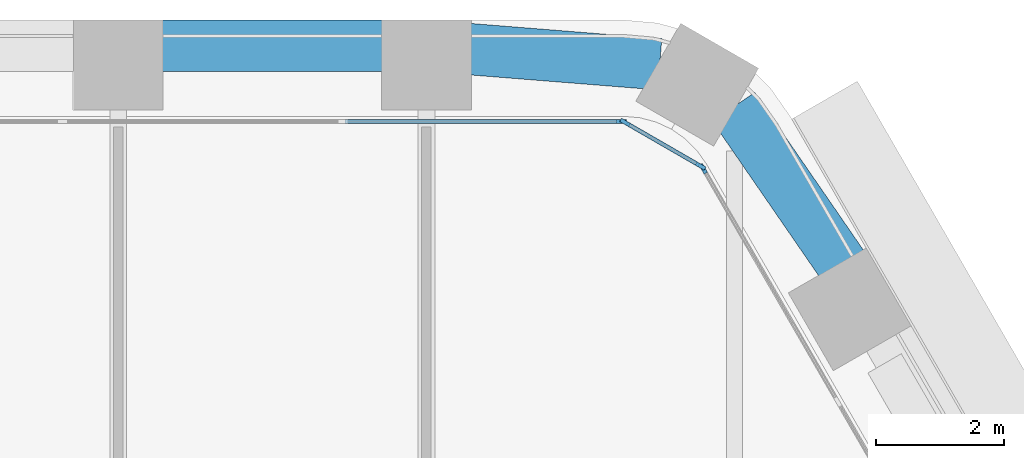
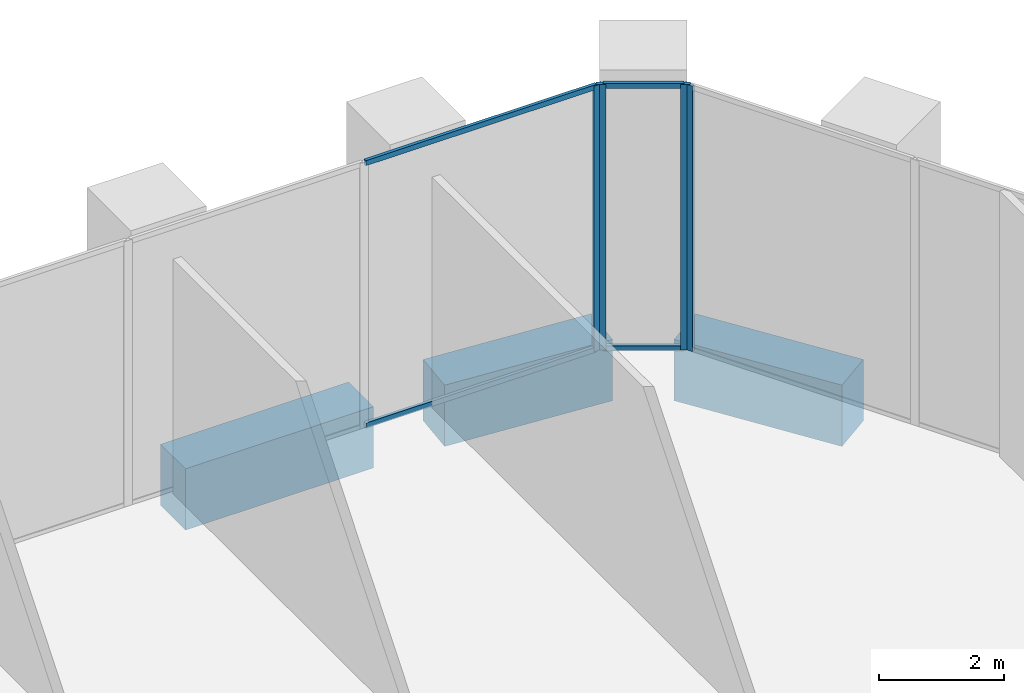
# One storey, part 14 of 27: 8 members, 3 beams, 3 elements without a shape of their own.
"""IFC4 building model written with IfcOpenShell, lengths in metres."""

from ifc_helpers import new_model, si_unit, direction, frame, origin, origin_2d, place, context, subcontext, project, spatial, rectangle, extrude, material, material_profile, profile_set, type_object, element, aggregate, save


model = new_model("IFC4")

# Units and contexts
model_context = context("Model", 3, precision=1e-05, world=origin(), true_north=direction((0.0, 1.0)))
body_context = subcontext(model_context, "Body", "Model", "MODEL_VIEW")
ifc_project = project(units=[si_unit("LENGTHUNIT", "METRE"), si_unit("AREAUNIT", "SQUARE_METRE"), si_unit("VOLUMEUNIT", "CUBIC_METRE"), si_unit("PLANEANGLEUNIT", "RADIAN"), si_unit("MASSUNIT", "GRAM", prefix="KILO")], contexts=[model_context])

# Site, building, storey
site_placement = place(None, origin())
site = spatial("IfcSite", under=ifc_project, at=site_placement, CompositionType="ELEMENT")
building_placement = place(site_placement, origin())
building = spatial("IfcBuilding", under=site, at=building_placement, Name="Kolab Exchange Tower", CompositionType="ELEMENT")
storey_placement = place(building_placement, frame((0.0, 0.0, 66.39990234375)))
storey = spatial("IfcBuildingStorey", under=building, at=storey_placement, Name="L12", CompositionType="ELEMENT", Elevation=66.39990234375)

# Beams
ifc_material_1 = material(Name="Concrete C80/95", Category="concrete")
ifc_material_profile_1 = material_profile(ifc_material_1, rectangle(XDim=0.800048828125, YDim=1.199951171875, at=origin_2d()), Name="RC800X1200")
ifc_profile_set_1 = profile_set([ifc_material_profile_1], Name="Concrete C80/95")
beam_type = type_object("IfcBeamType", Name="SPANDREL BEAM 800X1200 C80/95", PredefinedType="BEAM", material=ifc_profile_set_1)
beam_1_placement = place(storey_placement, frame((10.260009765625, 32.85546875, -0.89990234375), z_axis=(1.0, 0.0, 0.0), x_axis=(0.0, 1.0, 0.0)))
element("IfcBeam", 1, at=beam_1_placement, inside=storey, type_object=beam_type, Name="beam/L12/sp/F1-07", PredefinedType="BEAM", context=body_context, shape_type="SweptSolid", body=[
    extrude(rectangle(XDim=0.800048828125, YDim=1.199951171875, at=origin_2d()), origin(), (0.0, 0.0, 1.0), 3.47998046875),
])
beam_2_placement = place(storey_placement, frame((15.06005859375, 32.802734375, -0.89990234375), z_axis=(0.996833978278, -0.07951112973, 0.0), x_axis=(0.07951112973, 0.996833978278, 0.0)))
element("IfcBeam", 2, at=beam_2_placement, inside=storey, type_object=beam_type, Name="beam/L12/sp/F1-08", PredefinedType="BEAM", context=body_context, shape_type="SweptSolid", body=[
    extrude(rectangle(XDim=0.800048828125, YDim=1.199951171875, at=origin_2d()), origin(), (0.0, 0.0, 1.0), 2.984619140625),
])
beam_3_placement = place(storey_placement, frame((19.18505859375, 31.901611328125, -0.89990234375), z_axis=(0.567247290755, -0.823547516013, 0.0), x_axis=(0.823547516013, 0.567247290755, 0.0)))
element("IfcBeam", 3, at=beam_3_placement, inside=storey, type_object=beam_type, Name="beam/L12/sp/F2-01", PredefinedType="BEAM", context=body_context, shape_type="SweptSolid", body=[
    extrude(rectangle(XDim=0.800048828125, YDim=1.199951171875, at=origin_2d()), origin(), (0.0, 0.0, 1.0), 2.984375),
])

# Curtain wall, member
ifc_material_2 = material(Name="Aluminium EN AW-6063 T6", Category="aluminium")
curtain_wall_type = type_object("IfcCurtainWallType", Name="UNITISED LOW ZONE CURTAIN WALL", PredefinedType="NOTDEFINED", material=ifc_material_2)
curtain_wall_1_placement = place(storey_placement, origin())
curtain_wall_1 = element("IfcCurtainWall", 4, at=curtain_wall_1_placement, inside=storey, type_object=curtain_wall_type, Name="cw/L12/F1-2", PredefinedType="NOTDEFINED")
ifc_material_profile_2 = material_profile(ifc_material_2, rectangle(XDim=0.06005859375, YDim=0.159912109375, at=origin_2d()), Name="RECT 60X160")
ifc_profile_set_2 = profile_set([ifc_material_profile_2], Name="Aluminium EN AW-6063 T6")
member_type_1 = type_object("IfcMemberType", Name="UNITISED LOW ZONE MULLION 60 X 160", PredefinedType="MULLION", material=ifc_profile_set_2)
member_1_placement = place(storey_placement, frame((17.43798828125, 31.67529296875, 0.0), z_axis=(0.0, 0.0, 1.0), x_axis=(0.0, 1.0, 0.0)))
member_1 = element("IfcMember", 5, at=member_1_placement, type_object=member_type_1, Name="CW1 mullion 5", PredefinedType="MULLION", context=body_context, shape_type="SweptSolid", body=[
    extrude(rectangle(XDim=0.06005859375, YDim=0.159912109375, at=origin_2d()), origin(), (0.0, 0.0, 1.0), 5.2001953125),
])

curtain_wall_2_placement = place(storey_placement, origin())
curtain_wall_2 = element("IfcCurtainWall", 6, at=curtain_wall_2_placement, inside=storey, type_object=curtain_wall_type, Name="cw/L12/F2-1", PredefinedType="NOTDEFINED")
member_2_placement = place(storey_placement, frame((18.712646484375, 30.939453125, 0.0), z_axis=(0.0, 0.0, 1.0), x_axis=(0.866025393644, 0.500000017564, 0.0)))
member_2 = element("IfcMember", 7, at=member_2_placement, type_object=member_type_1, Name="CW1 mullion 1", PredefinedType="MULLION", context=body_context, shape_type="SweptSolid", body=[
    extrude(rectangle(XDim=0.06005859375, YDim=0.159912109375, at=origin_2d()), origin(), (0.0, 0.0, 1.0), 5.2001953125),
])
aggregate(curtain_wall_2, [member_2])

# Curtain wall, members
curtain_wall_3_placement = place(storey_placement, origin())
curtain_wall_3 = element("IfcCurtainWall", 8, at=curtain_wall_3_placement, inside=storey, type_object=curtain_wall_type, Name="cw/L12/F1F2-corner", PredefinedType="NOTDEFINED")
member_3_placement = place(storey_placement, frame((17.493896484375, 31.660400390625, 0.0), z_axis=(0.0, 0.0, 1.0), x_axis=(0.50000002237, 0.866025390869, 0.0)))
member_3 = element("IfcMember", 9, at=member_3_placement, type_object=member_type_1, Name="CW1 mullion 1", PredefinedType="MULLION", context=body_context, shape_type="SweptSolid", body=[
    extrude(rectangle(XDim=0.06005859375, YDim=0.159912109375, at=origin_2d()), origin(), (0.0, 0.0, 1.0), 5.2001953125),
])
member_4_placement = place(storey_placement, frame((18.671630859375, 30.98046875, 0.0), z_axis=(0.0, 0.0, 1.0), x_axis=(0.50000002237, 0.866025390869, 0.0)))
member_4 = element("IfcMember", 10, at=member_4_placement, type_object=member_type_1, Name="CW1 mullion 2", PredefinedType="MULLION", context=body_context, shape_type="SweptSolid", body=[
    extrude(rectangle(XDim=0.06005859375, YDim=0.159912109375, at=origin_2d()), origin(), (0.0, 0.0, 1.0), 5.2001953125),
])

# Member
ifc_material_profile_3 = material_profile(ifc_material_2, rectangle(XDim=0.06005859375, YDim=0.10009765625, at=origin_2d()), Name="RECT 60X100")
ifc_profile_set_3 = profile_set([ifc_material_profile_3], Name="Aluminium EN AW-6063 T6")
member_type_2 = type_object("IfcMemberType", Name="UNITISED LOW ZONE TRANSOM 60 X 100", PredefinedType="USERDEFINED", material=ifc_profile_set_3)
member_5_placement = place(storey_placement, frame((13.130859375, 31.67529296875, 0.030029296875), z_axis=(1.0, 0.0, 0.0), x_axis=(0.0, 1.0, 0.0)))
member_5 = element("IfcMember", 11, at=member_5_placement, type_object=member_type_2, Name="CW1 transom 4.1", ObjectType="TRANSOM", PredefinedType="USERDEFINED", context=body_context, shape_type="SweptSolid", body=[
    extrude(rectangle(XDim=0.06005859375, YDim=0.10009765625, at=origin_2d()), origin(), (0.0, 0.0, 1.0), 4.277099609375),
])

member_6_placement = place(storey_placement, frame((13.130859375, 31.67529296875, 5.170166015625), z_axis=(1.0, 0.0, 0.0), x_axis=(0.0, 1.0, 0.0)))
member_6 = element("IfcMember", 12, at=member_6_placement, type_object=member_type_2, Name="CW1 transom 4.2", ObjectType="TRANSOM", PredefinedType="USERDEFINED", context=body_context, shape_type="SweptSolid", body=[
    extrude(rectangle(XDim=0.06005859375, YDim=0.10009765625, at=origin_2d()), origin(), (0.0, 0.0, 1.0), 4.277099609375),
])

aggregate(curtain_wall_1, [member_1, member_5, member_6])

member_7_placement = place(storey_placement, frame((17.52001953125, 31.645263671875, 0.030029296875), z_axis=(0.86603858612, -0.49997716683, 0.0), x_axis=(0.49997716683, 0.86603858612, 0.0)))
member_7 = element("IfcMember", 13, at=member_7_placement, type_object=member_type_2, Name="CW1 transom 1.1", ObjectType="TRANSOM", PredefinedType="USERDEFINED", context=body_context, shape_type="SweptSolid", body=[
    extrude(rectangle(XDim=0.06005859375, YDim=0.10009765625, at=origin_2d()), origin(), (0.0, 0.0, 1.0), 1.2998046875),
])

member_8_placement = place(storey_placement, frame((17.52001953125, 31.645263671875, 5.170166015625), z_axis=(0.86603858612, -0.49997716683, 0.0), x_axis=(0.49997716683, 0.86603858612, 0.0)))
member_8 = element("IfcMember", 14, at=member_8_placement, type_object=member_type_2, Name="CW1 transom 1.2", ObjectType="TRANSOM", PredefinedType="USERDEFINED", context=body_context, shape_type="SweptSolid", body=[
    extrude(rectangle(XDim=0.06005859375, YDim=0.10009765625, at=origin_2d()), origin(), (0.0, 0.0, 1.0), 1.2998046875),
])

aggregate(curtain_wall_3, [member_3, member_4, member_7, member_8])

save(model, "model.ifc")
